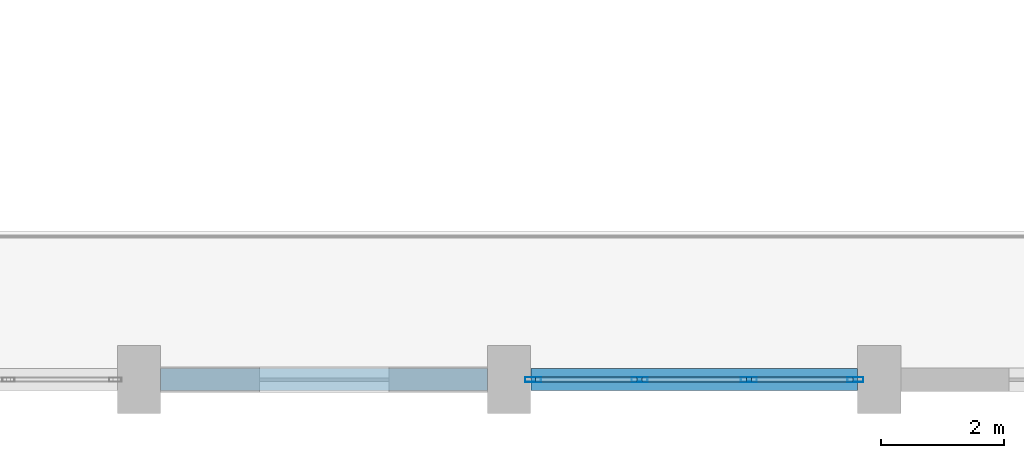
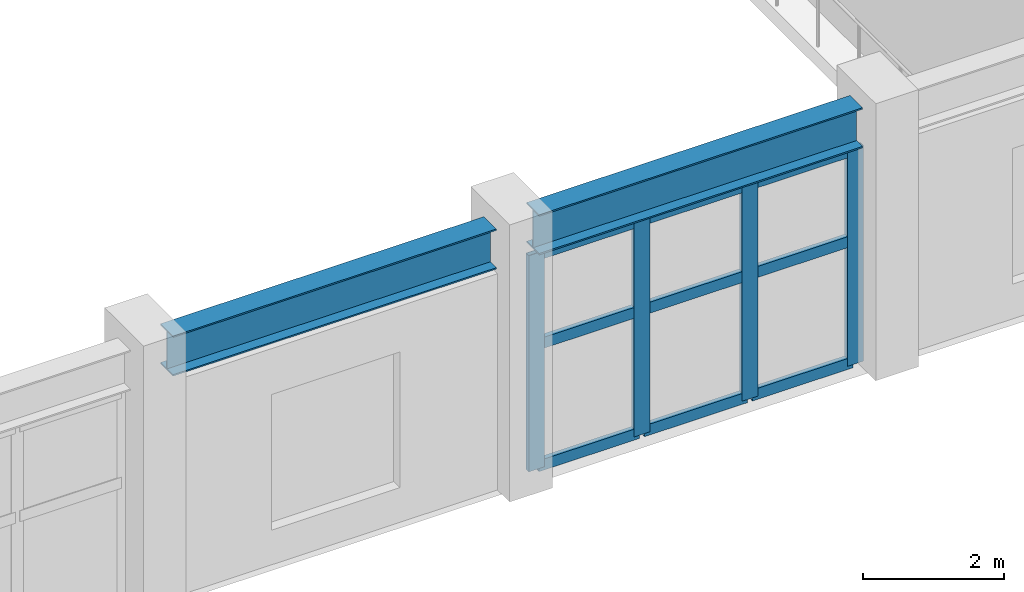
# One storey, part 13 of 62: 13 members, 2 beams, 1 element without a shape of its own.
"""IFC4 building model written with IfcOpenShell, lengths in metres."""

from ifc_helpers import new_model, si_unit, direction, frame, origin, origin_2d, place, context, subcontext, project, spatial, hollow_rectangle, i_section, extrude, material, layer, layer_set, material_profile, profile_set, type_object, element, aggregate, save


model = new_model("IFC4")

# Units and contexts
model_context = context("Model", 3, precision=1e-05, world=origin(), true_north=direction((0.0, 1.0)))
body_context = subcontext(model_context, "Body", "Model", "MODEL_VIEW")
ifc_project = project(units=[si_unit("LENGTHUNIT", "METRE"), si_unit("AREAUNIT", "SQUARE_METRE"), si_unit("VOLUMEUNIT", "CUBIC_METRE"), si_unit("PLANEANGLEUNIT", "RADIAN"), si_unit("MASSUNIT", "GRAM", prefix="KILO")], contexts=[model_context])

# Site, building, storey
site_placement = place(None, origin())
site = spatial("IfcSite", under=ifc_project, at=site_placement, CompositionType="ELEMENT")
building_placement = place(site_placement, origin())
building = spatial("IfcBuilding", under=site, at=building_placement, Name="Vaelkrest Opera House", CompositionType="ELEMENT")
storey_placement = place(building_placement, frame((0.0, 0.0, 19.800048828125)))
storey = spatial("IfcBuildingStorey", under=building, at=storey_placement, Name="L04", CompositionType="ELEMENT", Elevation=19.800048828125)

# Curtain wall, members
ifc_material_1 = material(Name="Dark bronze anodized aluminium", Category="aluminium")
ifc_layer = layer(ifc_material_1, 0.2099609375)
ifc_layer_set = layer_set([ifc_layer], Name="Dark bronze anodized aluminium")
curtain_wall_type = type_object("IfcCurtainWallType", Name="CW04", PredefinedType="NOTDEFINED", material=ifc_layer_set)
curtain_wall_placement = place(storey_placement, origin())
curtain_wall = element("IfcCurtainWall", 1, at=curtain_wall_placement, inside=storey, type_object=curtain_wall_type, Name="Curtain wall CW-L04-056", PredefinedType="NOTDEFINED")
ifc_material_profile_1 = material_profile(ifc_material_1, hollow_rectangle(XDim=0.080078125, YDim=0.260009765625, WallThickness=0.0048828125, at=origin_2d()), Name="CWM80X260")
ifc_profile_set_1 = profile_set([ifc_material_profile_1], Name="Dark bronze anodized aluminium")
member_type_1 = type_object("IfcMemberType", Name="CWM04", PredefinedType="MULLION", material=ifc_profile_set_1)
member_1_placement = place(storey_placement, frame((17.612060546875, -55.800048828125, 0.0), z_axis=(0.0, 0.0, 1.0), x_axis=(0.0, -1.0, 0.0)))
member_1 = element("IfcMember", 2, at=member_1_placement, type_object=member_type_1, Name="CW04 mullion 1", PredefinedType="MULLION", context=body_context, shape_type="SweptSolid", body=[
    extrude(hollow_rectangle(XDim=0.080078125, YDim=0.260009765625, WallThickness=0.0048828125, at=origin_2d()), origin(), (0.0, 0.0, 1.0), 3.744873046875),
])
member_2_placement = place(storey_placement, frame((15.884033203125, -55.800048828125, 0.0), z_axis=(0.0, 0.0, 1.0), x_axis=(0.0, -1.0, 0.0)))
member_2 = element("IfcMember", 3, at=member_2_placement, type_object=member_type_1, Name="CW04 mullion 2", PredefinedType="MULLION", context=body_context, shape_type="SweptSolid", body=[
    extrude(hollow_rectangle(XDim=0.080078125, YDim=0.260009765625, WallThickness=0.0048828125, at=origin_2d()), origin(), (0.0, 0.0, 1.0), 3.744873046875),
])
member_3_placement = place(storey_placement, frame((14.115966796875, -55.800048828125, 0.0), z_axis=(0.0, 0.0, 1.0), x_axis=(0.0, -1.0, 0.0)))
member_3 = element("IfcMember", 4, at=member_3_placement, type_object=member_type_1, Name="CW04 mullion 3", PredefinedType="MULLION", context=body_context, shape_type="SweptSolid", body=[
    extrude(hollow_rectangle(XDim=0.080078125, YDim=0.260009765625, WallThickness=0.0048828125, at=origin_2d()), origin(), (0.0, 0.0, 1.0), 3.744873046875),
])
member_4_placement = place(storey_placement, frame((12.387939453125, -55.800048828125, 0.0), z_axis=(0.0, 0.0, 1.0), x_axis=(0.0, -1.0, 0.0)))
member_4 = element("IfcMember", 5, at=member_4_placement, type_object=member_type_1, Name="CW04 mullion 4", PredefinedType="MULLION", context=body_context, shape_type="SweptSolid", body=[
    extrude(hollow_rectangle(XDim=0.080078125, YDim=0.260009765625, WallThickness=0.0048828125, at=origin_2d()), origin(), (0.0, 0.0, 1.0), 3.744873046875),
])
ifc_material_profile_2 = material_profile(ifc_material_1, hollow_rectangle(XDim=0.080078125, YDim=0.18994140625, WallThickness=0.0048828125, at=origin_2d()), Name="CWT80X190")
ifc_profile_set_2 = profile_set([ifc_material_profile_2], Name="Dark bronze anodized aluminium")
member_type_2 = type_object("IfcMemberType", Name="CWT04", PredefinedType="USERDEFINED", material=ifc_profile_set_2)
member_5_placement = place(storey_placement, frame((17.572021484375, -55.800048828125, 0.0400390625), z_axis=(-1.0, 0.0, 0.0), x_axis=(0.0, -1.0, 0.0)))
member_5 = element("IfcMember", 6, at=member_5_placement, type_object=member_type_2, Name="CW04 transom 1.1", ObjectType="TRANSOM", PredefinedType="USERDEFINED", context=body_context, shape_type="SweptSolid", body=[
    extrude(hollow_rectangle(XDim=0.080078125, YDim=0.18994140625, WallThickness=0.0048828125, at=origin_2d()), origin(), (0.0, 0.0, 1.0), 1.64794921875),
])
member_6_placement = place(storey_placement, frame((17.572021484375, -55.800048828125, 2.14990234375), z_axis=(-1.0, 0.0, 0.0), x_axis=(0.0, -1.0, 0.0)))
member_6 = element("IfcMember", 7, at=member_6_placement, type_object=member_type_2, Name="CW04 transom 1.2", ObjectType="TRANSOM", PredefinedType="USERDEFINED", context=body_context, shape_type="SweptSolid", body=[
    extrude(hollow_rectangle(XDim=0.080078125, YDim=0.18994140625, WallThickness=0.0048828125, at=origin_2d()), origin(), (0.0, 0.0, 1.0), 1.64794921875),
])
member_7_placement = place(storey_placement, frame((17.572021484375, -55.800048828125, 3.704833984375), z_axis=(-1.0, 0.0, 0.0), x_axis=(0.0, -1.0, 0.0)))
member_7 = element("IfcMember", 8, at=member_7_placement, type_object=member_type_2, Name="CW04 transom 1.3", ObjectType="TRANSOM", PredefinedType="USERDEFINED", context=body_context, shape_type="SweptSolid", body=[
    extrude(hollow_rectangle(XDim=0.080078125, YDim=0.18994140625, WallThickness=0.0048828125, at=origin_2d()), origin(), (0.0, 0.0, 1.0), 1.64794921875),
])
member_8_placement = place(storey_placement, frame((15.843994140625, -55.800048828125, 0.0400390625), z_axis=(-1.0, 0.0, 0.0), x_axis=(0.0, -1.0, 0.0)))
member_8 = element("IfcMember", 9, at=member_8_placement, type_object=member_type_2, Name="CW04 transom 2.1", ObjectType="TRANSOM", PredefinedType="USERDEFINED", context=body_context, shape_type="SweptSolid", body=[
    extrude(hollow_rectangle(XDim=0.080078125, YDim=0.18994140625, WallThickness=0.0048828125, at=origin_2d()), origin(), (0.0, 0.0, 1.0), 1.68798828125),
])
member_9_placement = place(storey_placement, frame((15.843994140625, -55.800048828125, 2.14990234375), z_axis=(-1.0, 0.0, 0.0), x_axis=(0.0, -1.0, 0.0)))
member_9 = element("IfcMember", 10, at=member_9_placement, type_object=member_type_2, Name="CW04 transom 2.2", ObjectType="TRANSOM", PredefinedType="USERDEFINED", context=body_context, shape_type="SweptSolid", body=[
    extrude(hollow_rectangle(XDim=0.080078125, YDim=0.18994140625, WallThickness=0.0048828125, at=origin_2d()), origin(), (0.0, 0.0, 1.0), 1.68798828125),
])
member_10_placement = place(storey_placement, frame((15.843994140625, -55.800048828125, 3.704833984375), z_axis=(-1.0, 0.0, 0.0), x_axis=(0.0, -1.0, 0.0)))
member_10 = element("IfcMember", 11, at=member_10_placement, type_object=member_type_2, Name="CW04 transom 2.3", ObjectType="TRANSOM", PredefinedType="USERDEFINED", context=body_context, shape_type="SweptSolid", body=[
    extrude(hollow_rectangle(XDim=0.080078125, YDim=0.18994140625, WallThickness=0.0048828125, at=origin_2d()), origin(), (0.0, 0.0, 1.0), 1.68798828125),
])
member_11_placement = place(storey_placement, frame((14.075927734375, -55.800048828125, 0.0400390625), z_axis=(-1.0, 0.0, 0.0), x_axis=(0.0, -1.0, 0.0)))
member_11 = element("IfcMember", 12, at=member_11_placement, type_object=member_type_2, Name="CW04 transom 3.1", ObjectType="TRANSOM", PredefinedType="USERDEFINED", context=body_context, shape_type="SweptSolid", body=[
    extrude(hollow_rectangle(XDim=0.080078125, YDim=0.18994140625, WallThickness=0.0048828125, at=origin_2d()), origin(), (0.0, 0.0, 1.0), 1.64794921875),
])
member_12_placement = place(storey_placement, frame((14.075927734375, -55.800048828125, 2.14990234375), z_axis=(-1.0, 0.0, 0.0), x_axis=(0.0, -1.0, 0.0)))
member_12 = element("IfcMember", 13, at=member_12_placement, type_object=member_type_2, Name="CW04 transom 3.2", ObjectType="TRANSOM", PredefinedType="USERDEFINED", context=body_context, shape_type="SweptSolid", body=[
    extrude(hollow_rectangle(XDim=0.080078125, YDim=0.18994140625, WallThickness=0.0048828125, at=origin_2d()), origin(), (0.0, 0.0, 1.0), 1.64794921875),
])
member_13_placement = place(storey_placement, frame((14.075927734375, -55.800048828125, 3.704833984375), z_axis=(-1.0, 0.0, 0.0), x_axis=(0.0, -1.0, 0.0)))
member_13 = element("IfcMember", 14, at=member_13_placement, type_object=member_type_2, Name="CW04 transom 3.3", ObjectType="TRANSOM", PredefinedType="USERDEFINED", context=body_context, shape_type="SweptSolid", body=[
    extrude(hollow_rectangle(XDim=0.080078125, YDim=0.18994140625, WallThickness=0.0048828125, at=origin_2d()), origin(), (0.0, 0.0, 1.0), 1.64794921875),
])
aggregate(curtain_wall, [member_1, member_2, member_3, member_4, member_5, member_6, member_7, member_8, member_9, member_10, member_11, member_12, member_13])

# Beams
ifc_material_2 = material(Name="Steel A992 Gr50", Category="steel")
ifc_material_profile_3 = material_profile(ifc_material_2, i_section(OverallWidth=0.35498046875, OverallDepth=0.695068359375, WebThickness=0.015380859375, FlangeThickness=0.02490234375, at=origin_2d()), Name="W27X146")
ifc_profile_set_3 = profile_set([ifc_material_profile_3], Name="Steel A992 Gr50")
beam_type = type_object("IfcBeamType", Name="SP02", PredefinedType="SPANDREL", material=ifc_profile_set_3)
for number, where, z_axis, x_axis, name in (
    (15, (6.35009765625, -55.800048828125, 4.157470703125), (1.0, 0.0, 0.0), (0.0, 1.0, 0.0), "Beam BM-V1-L04-0535"),
    (16, (12.35009765625, -55.800048828125, 4.157470703125), (1.0, 0.0, 0.0), (0.0, 1.0, 0.0), "Beam BM-V1-L04-0536"),
):
    element("IfcBeam", number, at=place(storey_placement, frame(where, z_axis=z_axis, x_axis=x_axis)), inside=storey, type_object=beam_type, Name=name, PredefinedType="SPANDREL", context=body_context, shape_type="SweptSolid", body=[
        extrude(i_section(OverallWidth=0.35498046875, OverallDepth=0.695068359375, WebThickness=0.015380859375, FlangeThickness=0.02490234375, at=origin_2d()), origin(), (0.0, 0.0, 1.0), 5.2998046875),
    ])

save(model, "model.ifc")
